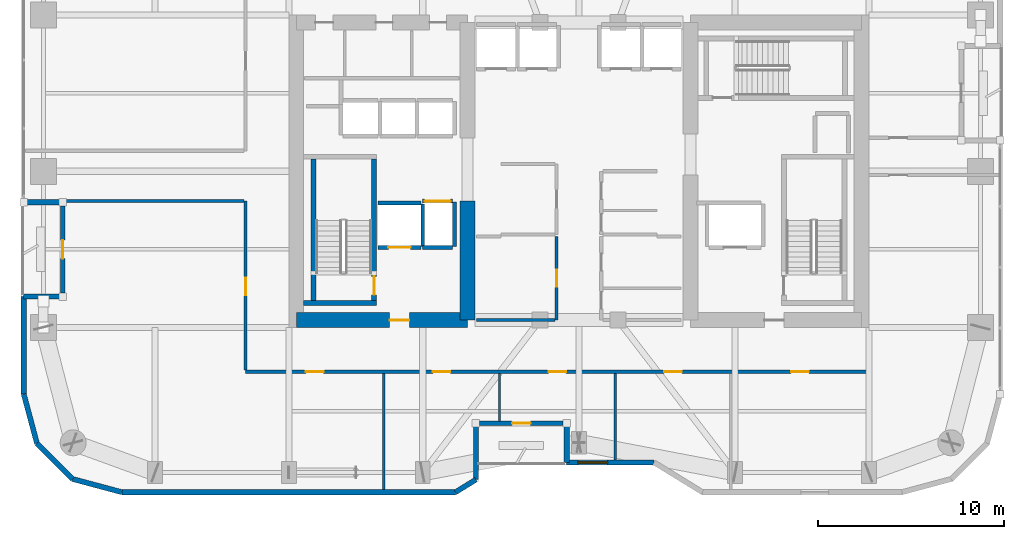
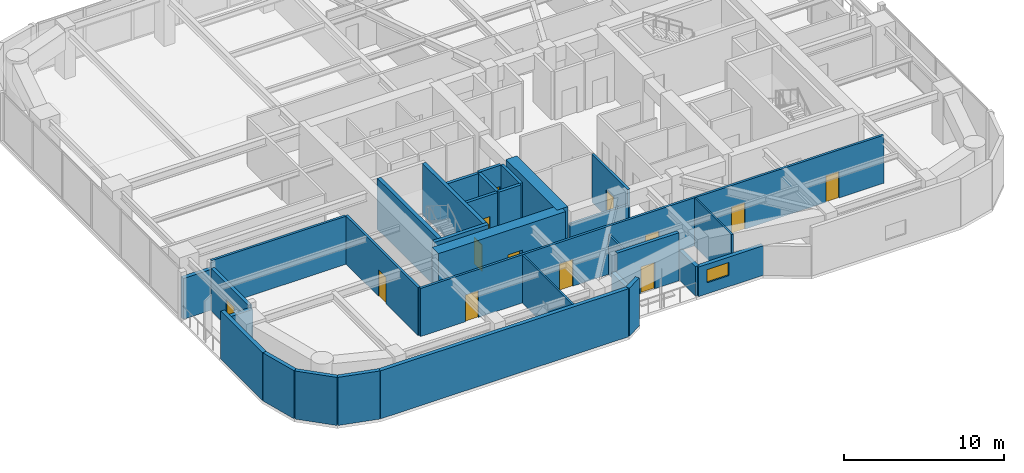
# One storey, part 25 of 31: 32 walls, 13 doors, 1 window, 14 openings.
"""IFC4 building model written with IfcOpenShell, lengths in metres."""

from ifc_helpers import new_model, si_unit, direction, frame, frame_2d, origin, place, context, subcontext, project, spatial, rectangle, extrude, material, layer, layer_set, type_object, element, fill, save


model = new_model("IFC4")

# Units and contexts
model_context = context("Model", 3, precision=1e-05, world=origin(), true_north=direction((0.0, 1.0)))
body_context = subcontext(model_context, "Body", "Model", "MODEL_VIEW")
ifc_project = project(units=[si_unit("LENGTHUNIT", "METRE"), si_unit("AREAUNIT", "SQUARE_METRE"), si_unit("VOLUMEUNIT", "CUBIC_METRE"), si_unit("PLANEANGLEUNIT", "RADIAN"), si_unit("MASSUNIT", "GRAM", prefix="KILO")], contexts=[model_context])

# Site, building, storey
site_placement = place(None, origin())
site = spatial("IfcSite", under=ifc_project, at=site_placement, CompositionType="ELEMENT")
building_placement = place(site_placement, origin())
building = spatial("IfcBuilding", under=site, at=building_placement, Name="Kiyonajd Concourse Tower", CompositionType="ELEMENT")
storey_placement = place(building_placement, frame((0.0, 0.0, 158.39990234375)))
storey = spatial("IfcBuildingStorey", under=building, at=storey_placement, Name="L40", CompositionType="ELEMENT", Elevation=158.39990234375)

# Wall
ifc_material_1 = material(Name="Concrete C70/85", Category="concrete")
ifc_layer_1 = layer(ifc_material_1, 0.800048828125)
ifc_layer_set_1 = layer_set([ifc_layer_1], Name="Concrete C70/85")
wall_type_1 = type_object("IfcWallType", Name="WL-CORE-800", PredefinedType="SHEAR", material=ifc_layer_set_1)
wall_1_placement = place(storey_placement, frame((42.0, 28.0, 0.0), z_axis=(0.0, 0.0, 1.0), x_axis=(0.0, 1.0, 0.0)))
element("IfcWall", 1, at=wall_1_placement, inside=storey, type_object=wall_type_1, Name="L40 West Core Inner South Shear Wall", PredefinedType="SHEAR", context=body_context, shape_type="SweptSolid", body=[
    extrude(rectangle(XDim=6.39990234375, YDim=0.800048828125, at=frame_2d((3.199951171875, 0.0))), origin(), (0.0, 0.0, 1.0), 3.900146484375),
])

# Wall, opening, door
wall_2_placement = place(storey_placement, frame((32.800048828125, 28.0, 0.0), z_axis=(0.0, 0.0, 1.0), x_axis=(1.0, 0.0, 0.0)))
wall_2 = element("IfcWall", 2, at=wall_2_placement, inside=storey, type_object=wall_type_1, Name="L40 West Core South Shear Wall", PredefinedType="SHEAR", context=body_context, shape_type="SweptSolid", body=[
    extrude(rectangle(XDim=9.199951171875, YDim=0.800048828125, at=frame_2d((4.60009765625, 0.0))), origin(), (0.0, 0.0, 1.0), 3.900146484375),
])
opening_1_placement = place(wall_2_placement, frame((5.02490234375, 0.0, 0.0)))
opening_1 = element("IfcOpeningElement", 3, at=opening_1_placement, cuts=wall_2, Name="Opening DF5", PredefinedType="OPENING", context=body_context, shape_type="SweptSolid", body=[
    extrude(rectangle(XDim=1.050048828125, YDim=2.0400390625, at=frame_2d((0.52490234375, 1.02001953125))), frame((0.0, 0.409912109375, 0.0), z_axis=(0.0, -1.0, 0.0), x_axis=(1.0, 0.0, 0.0)), (0.0, 0.0, 1.0), 0.820068359375),
])
ifc_material_2 = material(Name="Brushed Stainless Steel Cab Assembly", Category="steel")
door_type_1 = type_object("IfcDoorType", Name="DR-FD45-1050", OperationType="NOTDEFINED", PredefinedType="DOOR", material=ifc_material_2)
door_1_placement = place(opening_1_placement, origin())
door_1 = element("IfcDoor", 4, at=door_1_placement, inside=storey, type_object=door_type_1, Name="L40 Firefighting Lift Lobby W Smoke Door", OperationType="SINGLE_SWING_LEFT", OverallHeight=2.0400390625, OverallWidth=1.050048828125, PredefinedType="DOOR", context=body_context, shape_type="SweptSolid", body=[
    extrude(rectangle(XDim=1.050048828125, YDim=2.0400390625, at=frame_2d((0.52490234375, 1.02001953125))), frame((0.0, 0.02490234375, 0.0), z_axis=(0.0, -1.0, 0.0), x_axis=(1.0, 0.0, 0.0)), (0.0, 0.0, 1.0), 0.050048828125),
])
fill(opening_1, door_1)

# Walls
ifc_material_3 = material(Name="Precast concrete C50/60", Category="concrete")
ifc_layer_2 = layer(ifc_material_3, 0.280029296875)
ifc_layer_set_2 = layer_set([ifc_layer_2], Name="Precast concrete C50/60")
wall_type_2 = type_object("IfcWallType", Name="WL-EXT-280", PredefinedType="SOLIDWALL", material=ifc_layer_set_2)
wall_3_placement = place(storey_placement, frame((18.848388671875, 21.37255859375, 0.0), z_axis=(0.0, 0.0, 1.0), x_axis=(-0.258672222976, 0.9659651552, 0.0)))
element("IfcWall", 5, at=wall_3_placement, inside=storey, type_object=wall_type_2, Name="L40 Exterior Concrete Frame Wall 00", PredefinedType="SOLIDWALL", context=body_context, shape_type="SweptSolid", body=[
    extrude(rectangle(XDim=2.739013671875, YDim=0.280029296875, at=frame_2d((1.36962890625, 0.0))), origin(), (0.0, 0.0, 1.0), 3.68017578125),
])
wall_4_placement = place(storey_placement, frame((18.139892578125, 24.018310546875, 0.0), z_axis=(0.0, 0.0, 1.0), x_axis=(0.0, 1.0, 0.0)))
element("IfcWall", 6, at=wall_4_placement, inside=storey, type_object=wall_type_2, Name="L40 Exterior Concrete Frame Wall 01", PredefinedType="SOLIDWALL", context=body_context, shape_type="SweptSolid", body=[
    extrude(rectangle(XDim=5.24169921875, YDim=0.280029296875, at=frame_2d((2.620849609375, 0.0))), origin(), (0.0, 0.0, 1.0), 3.68017578125),
])
for number, where, z_axis, x_axis, name in (
    (7, (18.139892578125, 29.260009765625, 0.0), (0.0, 0.0, 1.0), (1.0, 0.0, 0.0), "L40 Exterior Concrete Frame Wall 02"),
    (8, (20.239990234375, 34.340087890625, 0.0), (0.0, 0.0, 1.0), (-1.0, 0.0, 0.0), "L40 Exterior Concrete Frame Wall 04"),
):
    element("IfcWall", number, at=place(storey_placement, frame(where, z_axis=z_axis, x_axis=x_axis)), inside=storey, type_object=wall_type_2, Name=name, PredefinedType="SOLIDWALL", context=body_context, shape_type="SweptSolid", body=[
        extrude(rectangle(XDim=2.10009765625, YDim=0.280029296875, at=frame_2d((1.050048828125, 0.0))), origin(), (0.0, 0.0, 1.0), 3.1162109375),
    ])

# Wall, opening, window
wall_5_placement = place(storey_placement, frame((52.03955078125, 20.340087890625, 0.0), z_axis=(0.0, 0.0, 1.0), x_axis=(-1.0, 0.0, 0.0)))
wall_5 = element("IfcWall", 9, at=wall_5_placement, inside=storey, type_object=wall_type_2, Name="L40 Exterior Concrete Frame Wall 30", PredefinedType="SOLIDWALL", context=body_context, shape_type="SweptSolid", body=[
    extrude(rectangle(XDim=4.699462890625, YDim=0.280029296875, at=frame_2d((2.349609375, 0.0))), origin(), (0.0, 0.0, 1.0), 2.26513671875),
])
opening_2_placement = place(wall_5_placement, frame((2.5, 0.0, 0.85009765625)))
opening_2 = element("IfcOpeningElement", 10, at=opening_2_placement, cuts=wall_5, Name="Opening WN6", PredefinedType="OPENING", context=body_context, shape_type="SweptSolid", body=[
    extrude(rectangle(XDim=1.60009765625, YDim=1.0, at=frame_2d((0.800048828125, 0.5))), frame((0.0, 0.14990234375, 0.0), z_axis=(0.0, -1.0, 0.0), x_axis=(1.0, 0.0, 0.0)), (0.0, 0.0, 1.0), 0.300048828125),
])
ifc_material_4 = material(Name="Double Low-E Insulated Glass", Category="glass")
window_type = type_object("IfcWindowType", Name="WN-VIS-1600x1000", PartitioningType="SINGLE_PANEL", PredefinedType="WINDOW", material=ifc_material_4)
window_placement = place(opening_2_placement, origin())
window = element("IfcWindow", 11, at=window_placement, inside=storey, type_object=window_type, Name="L40 Modular Facade Vision Window 30", OverallHeight=1.0, OverallWidth=1.60009765625, PartitioningType="SINGLE_PANEL", PredefinedType="WINDOW", context=body_context, shape_type="SweptSolid", body=[
    extrude(rectangle(XDim=1.60009765625, YDim=1.0, at=frame_2d((0.800048828125, 0.5))), frame((0.0, 0.030029296875, 0.0), z_axis=(0.0, -1.0, 0.0), x_axis=(1.0, 0.0, 0.0)), (0.0, 0.0, 1.0), 0.06005859375),
])
fill(opening_2, window)

# Walls
wall_6_placement = place(storey_placement, frame((47.340087890625, 20.340087890625, 0.0), z_axis=(0.0, 0.0, 1.0), x_axis=(0.0, 1.0, 0.0)))
element("IfcWall", 12, at=wall_6_placement, inside=storey, type_object=wall_type_2, Name="L40 Exterior Concrete Frame Wall 31", PredefinedType="SOLIDWALL", context=body_context, shape_type="SweptSolid", body=[
    extrude(rectangle(XDim=2.099853515625, YDim=0.280029296875, at=frame_2d((1.0498046875, 0.0))), origin(), (0.0, 0.0, 1.0), 2.26513671875),
])
wall_7_placement = place(storey_placement, frame((42.4599609375, 22.43994140625, 0.0), z_axis=(0.0, 0.0, 1.0), x_axis=(0.0, -1.0, 0.0)))
element("IfcWall", 13, at=wall_7_placement, inside=storey, type_object=wall_type_2, Name="L40 Exterior Concrete Frame Wall 33", PredefinedType="SOLIDWALL", context=body_context, shape_type="SweptSolid", body=[
    extrude(rectangle(XDim=3.023681640625, YDim=0.280029296875, at=frame_2d((1.51171875, 0.0))), origin(), (0.0, 0.0, 1.0), 2.26513671875),
])
wall_8_placement = place(storey_placement, frame((42.4599609375, 19.416259765625, 0.0), z_axis=(0.0, 0.0, 1.0), x_axis=(-0.851801140441, -0.523865266212, 0.0)))
element("IfcWall", 14, at=wall_8_placement, inside=storey, type_object=wall_type_2, Name="L40 Exterior Concrete Frame Wall 34", PredefinedType="SOLIDWALL", context=body_context, shape_type="SweptSolid", body=[
    extrude(rectangle(XDim=1.291015625, YDim=0.280029296875, at=frame_2d((0.6455078125, 0.0))), origin(), (0.0, 0.0, 1.0), 3.68017578125),
])
wall_9_placement = place(storey_placement, frame((41.3603515625, 18.739990234375, 0.0), z_axis=(0.0, 0.0, 1.0), x_axis=(-1.0, 0.0, 0.0)))
element("IfcWall", 15, at=wall_9_placement, inside=storey, type_object=wall_type_2, Name="L40 Exterior Concrete Frame Wall 35", PredefinedType="SOLIDWALL", context=body_context, shape_type="SweptSolid", body=[
    extrude(rectangle(XDim=17.94189453125, YDim=0.280029296875, at=frame_2d((8.970947265625, 0.0))), origin(), (0.0, 0.0, 1.0), 3.68017578125),
])
wall_10_placement = place(storey_placement, frame((23.41845703125, 18.739990234375, 0.0), z_axis=(0.0, 0.0, 1.0), x_axis=(-0.965971118627, 0.258649952598, 0.0)))
element("IfcWall", 16, at=wall_10_placement, inside=storey, type_object=wall_type_2, Name="L40 Exterior Concrete Frame Wall 36", PredefinedType="SOLIDWALL", context=body_context, shape_type="SweptSolid", body=[
    extrude(rectangle(XDim=2.7392578125, YDim=0.280029296875, at=frame_2d((1.36962890625, 0.0))), origin(), (0.0, 0.0, 1.0), 3.68017578125),
])
wall_11_placement = place(storey_placement, frame((20.7724609375, 19.448486328125, 0.0), z_axis=(0.0, 0.0, 1.0), x_axis=(-0.707106781187, 0.707106781187, 0.0)))
element("IfcWall", 17, at=wall_11_placement, inside=storey, type_object=wall_type_2, Name="L40 Exterior Concrete Frame Wall 37", PredefinedType="SOLIDWALL", context=body_context, shape_type="SweptSolid", body=[
    extrude(rectangle(XDim=2.720947265625, YDim=0.280029296875, at=frame_2d((1.3603515625, 0.0))), origin(), (0.0, 0.0, 1.0), 3.68017578125),
])

# Wall, opening, door
ifc_layer_3 = layer(ifc_material_3, 0.239990234375)
ifc_layer_set_3 = layer_set([ifc_layer_3], Name="Precast concrete C50/60")
wall_type_3 = type_object("IfcWallType", Name="WL-LOG-240", PredefinedType="SOLIDWALL", material=ifc_layer_set_3)
wall_12_placement = place(storey_placement, frame((20.239990234375, 29.455078125, 0.0), z_axis=(0.0, 0.0, 1.0), x_axis=(0.0, 1.0, 0.0)))
wall_12 = element("IfcWall", 18, at=wall_12_placement, inside=storey, type_object=wall_type_3, Name="L40 Recessed Loggia Thermal Wall LOG-W", PredefinedType="SOLIDWALL", context=body_context, shape_type="SweptSolid", body=[
    extrude(rectangle(XDim=4.68994140625, YDim=0.239990234375, at=frame_2d((2.344970703125, 0.0))), origin(), (0.0, 0.0, 1.0), 3.248046875),
])
opening_3_placement = place(wall_12_placement, frame((1.844970703125, 0.0, 0.0)))
opening_3 = element("IfcOpeningElement", 19, at=opening_3_placement, cuts=wall_12, Name="Opening DL1", PredefinedType="OPENING", context=body_context, shape_type="SweptSolid", body=[
    extrude(rectangle(XDim=1.0, YDim=2.02001953125, at=frame_2d((0.5, 1.010009765625))), frame((0.0, 0.1298828125, 0.0), z_axis=(0.0, -1.0, 0.0), x_axis=(1.0, 0.0, 0.0)), (0.0, 0.0, 1.0), 0.260009765625),
])
ifc_material_5 = material(Name="Thermally Broken Anodised Aluminium", Category="aluminium")
door_type_2 = type_object("IfcDoorType", Name="DR-LOG-1000", OperationType="NOTDEFINED", PredefinedType="DOOR", material=ifc_material_5)
door_2_placement = place(opening_3_placement, origin())
door_2 = element("IfcDoor", 20, at=door_2_placement, inside=storey, type_object=door_type_2, Name="L40 Engawa Loggia Access Door LOG-W", OperationType="SINGLE_SWING_LEFT", OverallHeight=2.02001953125, OverallWidth=1.0, PredefinedType="DOOR", context=body_context, shape_type="SweptSolid", body=[
    extrude(rectangle(XDim=1.0, YDim=2.02001953125, at=frame_2d((0.5, 1.010009765625))), frame((0.0, 0.02490234375, 0.0), z_axis=(0.0, -1.0, 0.0), x_axis=(1.0, 0.0, 0.0)), (0.0, 0.0, 1.0), 0.050048828125),
])
fill(opening_3, door_2)

wall_13_placement = place(storey_placement, frame((47.14501953125, 22.43994140625, 0.0), z_axis=(0.0, 0.0, 1.0), x_axis=(-1.0, 0.0, 0.0)))
wall_13 = element("IfcWall", 21, at=wall_13_placement, inside=storey, type_object=wall_type_3, Name="L40 Recessed Loggia Thermal Wall LOG-S", PredefinedType="SOLIDWALL", context=body_context, shape_type="SweptSolid", body=[
    extrude(rectangle(XDim=4.489990234375, YDim=0.239990234375, at=frame_2d((2.2451171875, 0.0))), origin(), (0.0, 0.0, 1.0), 3.68017578125),
])
opening_4_placement = place(wall_13_placement, frame((1.7451171875, 0.0, 0.0)))
opening_4 = element("IfcOpeningElement", 22, at=opening_4_placement, cuts=wall_13, Name="Opening DL1", PredefinedType="OPENING", context=body_context, shape_type="SweptSolid", body=[
    extrude(rectangle(XDim=1.0, YDim=2.02001953125, at=frame_2d((0.5, 1.010009765625))), frame((0.0, 0.1298828125, 0.0), z_axis=(0.0, -1.0, 0.0), x_axis=(1.0, 0.0, 0.0)), (0.0, 0.0, 1.0), 0.260009765625),
])
door_3_placement = place(opening_4_placement, origin())
door_3 = element("IfcDoor", 23, at=door_3_placement, inside=storey, type_object=door_type_2, Name="L40 Engawa Loggia Access Door LOG-S", OperationType="SINGLE_SWING_RIGHT", OverallHeight=2.02001953125, OverallWidth=1.0, PredefinedType="DOOR", context=body_context, shape_type="SweptSolid", body=[
    extrude(rectangle(XDim=1.0, YDim=2.02001953125, at=frame_2d((0.5, 1.010009765625))), frame((0.0, 0.02490234375, 0.0), z_axis=(0.0, -1.0, 0.0), x_axis=(1.0, 0.0, 0.0)), (0.0, 0.0, 1.0), 0.050048828125),
])
fill(opening_4, door_3)

# Walls
ifc_material_6 = material(Name="Gypsum Board on Cold-Formed Steel Stud", Category="steel")
ifc_layer_4 = layer(ifc_material_6, 0.125)
ifc_layer_set_4 = layer_set([ifc_layer_4], Name="Gypsum Board on Cold-Formed Steel Stud")
wall_type_4 = type_object("IfcWallType", Name="WL-PART-125", PredefinedType="PARTITIONING", material=ifc_layer_set_4)
wall_14_placement = place(storey_placement, frame((37.5, 18.875, 0.0), z_axis=(0.0, 0.0, 1.0), x_axis=(0.0, 1.0, 0.0)))
element("IfcWall", 24, at=wall_14_placement, inside=storey, type_object=wall_type_4, Name="L40 Interior Partition Wall", PredefinedType="PARTITIONING", context=body_context, shape_type="SweptSolid", body=[
    extrude(rectangle(XDim=6.258056640625, YDim=0.125, at=frame_2d((3.12890625, 0.0))), origin(), (0.0, 0.0, 1.0), 3.68017578125),
])
wall_15_placement = place(storey_placement, frame((43.72998046875, 22.554931640625, 0.0), z_axis=(0.0, 0.0, 1.0), x_axis=(0.0, 1.0, 0.0)))
element("IfcWall", 25, at=wall_15_placement, inside=storey, type_object=wall_type_4, Name="L40 Interior Partition Wall", PredefinedType="PARTITIONING", context=body_context, shape_type="SweptSolid", body=[
    extrude(rectangle(XDim=2.578125, YDim=0.125, at=frame_2d((1.2890625, 0.0))), origin(), (0.0, 0.0, 1.0), 3.043212890625),
])
wall_16_placement = place(storey_placement, frame((49.949951171875, 20.47509765625, 0.0), z_axis=(0.0, 0.0, 1.0), x_axis=(0.0, 1.0, 0.0)))
element("IfcWall", 26, at=wall_16_placement, inside=storey, type_object=wall_type_4, Name="L40 Interior Partition Wall", PredefinedType="PARTITIONING", context=body_context, shape_type="SweptSolid", body=[
    extrude(rectangle(XDim=4.657958984375, YDim=0.125, at=frame_2d((2.3291015625, 0.0))), origin(), (0.0, 0.0, 1.0), 3.68017578125),
])

# Wall, opening, door
ifc_layer_5 = layer(ifc_material_6, 0.2099609375)
ifc_layer_set_5 = layer_set([ifc_layer_5], Name="Gypsum Board on Cold-Formed Steel Stud")
wall_type_5 = type_object("IfcWallType", Name="WL-SHAFT-210", PredefinedType="PARTITIONING", material=ifc_layer_set_5)
wall_17_placement = place(storey_placement, frame((37.199951171875, 31.89990234375, 0.0), z_axis=(0.0, 0.0, 1.0), x_axis=(1.0, 0.0, 0.0)))
wall_17 = element("IfcWall", 27, at=wall_17_placement, inside=storey, type_object=wall_type_5, Name="L40 Shaft Enclosure Wall", PredefinedType="PARTITIONING", context=body_context, shape_type="SweptSolid", body=[
    extrude(rectangle(XDim=2.300048828125, YDim=0.2099609375, at=frame_2d((1.14990234375, 0.0))), origin(), (0.0, 0.0, 1.0), 3.68017578125),
])
opening_5_placement = place(wall_17_placement, frame((0.550048828125, 0.0, 0.0)))
opening_5 = element("IfcOpeningElement", 28, at=opening_5_placement, cuts=wall_17, Name="Opening LD2", PredefinedType="OPENING", context=body_context, shape_type="SweptSolid", body=[
    extrude(rectangle(XDim=1.199951171875, YDim=2.0400390625, at=frame_2d((0.60009765625, 1.02001953125))), frame((0.0, 0.114990234375, 0.0), z_axis=(0.0, -1.0, 0.0), x_axis=(1.0, 0.0, 0.0)), (0.0, 0.0, 1.0), 0.22998046875),
])
door_type_3 = type_object("IfcDoorType", Name="DR-LD-1200", OperationType="DOUBLE_DOOR_SLIDING", PredefinedType="DOOR", material=ifc_material_2)
door_4_placement = place(opening_5_placement, origin())
door_4 = element("IfcDoor", 29, at=door_4_placement, inside=storey, type_object=door_type_3, Name="L40 Lift FFL1 Sliding Landing Door", OperationType="DOUBLE_DOOR_SLIDING", OverallHeight=2.0400390625, OverallWidth=1.199951171875, PredefinedType="DOOR", context=body_context, shape_type="SweptSolid", body=[
    extrude(rectangle(XDim=1.199951171875, YDim=2.0400390625, at=frame_2d((0.60009765625, 1.02001953125))), frame((0.0, 0.02490234375, 0.0), z_axis=(0.0, -1.0, 0.0), x_axis=(1.0, 0.0, 0.0)), (0.0, 0.0, 1.0), 0.050048828125),
])
fill(opening_5, door_4)

# Walls
wall_18_placement = place(storey_placement, frame((37.199951171875, 34.300048828125, 0.0), z_axis=(0.0, 0.0, 1.0), x_axis=(1.0, 0.0, 0.0)))
element("IfcWall", 30, at=wall_18_placement, inside=storey, type_object=wall_type_5, Name="L40 Shaft Enclosure Wall", PredefinedType="PARTITIONING", context=body_context, shape_type="SweptSolid", body=[
    extrude(rectangle(XDim=2.300048828125, YDim=0.2099609375, at=frame_2d((1.14990234375, 0.0))), origin(), (0.0, 0.0, 1.0), 3.68017578125),
])
wall_19_placement = place(storey_placement, frame((39.60009765625, 31.9599609375, 0.0), z_axis=(0.0, 0.0, 1.0), x_axis=(0.0, 1.0, 0.0)))
element("IfcWall", 31, at=wall_19_placement, inside=storey, type_object=wall_type_5, Name="L40 Shaft Enclosure Wall", PredefinedType="PARTITIONING", context=body_context, shape_type="SweptSolid", body=[
    extrude(rectangle(XDim=2.280029296875, YDim=0.2099609375, at=frame_2d((1.14013671875, 0.0))), origin(), (0.0, 0.0, 1.0), 3.68017578125),
])

# Wall, opening, door
wall_20_placement = place(storey_placement, frame((39.60009765625, 34.39990234375, 0.0), z_axis=(0.0, 0.0, 1.0), x_axis=(1.0, 0.0, 0.0)))
wall_20 = element("IfcWall", 32, at=wall_20_placement, inside=storey, type_object=wall_type_5, Name="L40 Shaft Enclosure Wall", PredefinedType="PARTITIONING", context=body_context, shape_type="SweptSolid", body=[
    extrude(rectangle(XDim=1.599853515625, YDim=0.2099609375, at=frame_2d((0.7998046875, 0.0))), origin(), (0.0, 0.0, 1.0), 3.68017578125),
])
opening_6_placement = place(wall_20_placement, frame((0.10009765625, 0.0, 0.0)))
opening_6 = element("IfcOpeningElement", 33, at=opening_6_placement, cuts=wall_20, Name="Opening LD3", PredefinedType="OPENING", context=body_context, shape_type="SweptSolid", body=[
    extrude(rectangle(XDim=1.39990234375, YDim=2.06005859375, at=frame_2d((0.699951171875, 1.030029296875))), frame((0.0, 0.114990234375, 0.0), z_axis=(0.0, -1.0, 0.0), x_axis=(1.0, 0.0, 0.0)), (0.0, 0.0, 1.0), 0.22998046875),
])
door_type_4 = type_object("IfcDoorType", Name="DR-LD-1400", OperationType="DOUBLE_DOOR_SLIDING", PredefinedType="DOOR", material=ifc_material_2)
door_5_placement = place(opening_6_placement, origin())
door_5 = element("IfcDoor", 34, at=door_5_placement, inside=storey, type_object=door_type_4, Name="L40 Lift SVL1 Sliding Landing Door", OperationType="DOUBLE_DOOR_SLIDING", OverallHeight=2.06005859375, OverallWidth=1.39990234375, PredefinedType="DOOR", context=body_context, shape_type="SweptSolid", body=[
    extrude(rectangle(XDim=1.39990234375, YDim=2.06005859375, at=frame_2d((0.699951171875, 1.030029296875))), frame((0.0, 0.02490234375, 0.0), z_axis=(0.0, -1.0, 0.0), x_axis=(1.0, 0.0, 0.0)), (0.0, 0.0, 1.0), 0.050048828125),
])
fill(opening_6, door_5)

# Walls
wall_21_placement = place(storey_placement, frame((39.60009765625, 31.89990234375, 0.0), z_axis=(0.0, 0.0, 1.0), x_axis=(1.0, 0.0, 0.0)))
element("IfcWall", 35, at=wall_21_placement, inside=storey, type_object=wall_type_5, Name="L40 Shaft Enclosure Wall", PredefinedType="PARTITIONING", context=body_context, shape_type="SweptSolid", body=[
    extrude(rectangle(XDim=1.599853515625, YDim=0.2099609375, at=frame_2d((0.7998046875, 0.0))), origin(), (0.0, 0.0, 1.0), 3.68017578125),
])
wall_22_placement = place(storey_placement, frame((41.300048828125, 31.9599609375, 0.0), z_axis=(0.0, 0.0, 1.0), x_axis=(0.0, 1.0, 0.0)))
element("IfcWall", 36, at=wall_22_placement, inside=storey, type_object=wall_type_5, Name="L40 Shaft Enclosure Wall", PredefinedType="PARTITIONING", context=body_context, shape_type="SweptSolid", body=[
    extrude(rectangle(XDim=2.380126953125, YDim=0.2099609375, at=frame_2d((1.18994140625, 0.0))), origin(), (0.0, 0.0, 1.0), 3.68017578125),
])

# Wall, opening, door
ifc_layer_6 = layer(ifc_material_6, 0.169921875)
ifc_layer_set_6 = layer_set([ifc_layer_6], Name="Gypsum Board on Cold-Formed Steel Stud")
wall_type_6 = type_object("IfcWallType", Name="WL-SMK-170", PredefinedType="PARTITIONING", material=ifc_layer_set_6)
wall_23_placement = place(storey_placement, frame((46.800048828125, 28.0, 0.0), z_axis=(0.0, 0.0, 1.0), x_axis=(0.0, 1.0, 0.0)))
wall_23 = element("IfcWall", 37, at=wall_23_placement, inside=storey, type_object=wall_type_6, Name="L40 Interior Partition Wall", PredefinedType="PARTITIONING", context=body_context, shape_type="SweptSolid", body=[
    extrude(rectangle(XDim=4.5, YDim=0.169921875, at=frame_2d((2.25, 0.0))), origin(), (0.0, 0.0, 1.0), 3.68017578125),
])
opening_7_placement = place(wall_23_placement, frame((1.800048828125, 0.0, 0.0)))
opening_7 = element("IfcOpeningElement", 38, at=opening_7_placement, cuts=wall_23, Name="Opening DI2", PredefinedType="OPENING", context=body_context, shape_type="SweptSolid", body=[
    extrude(rectangle(XDim=0.89990234375, YDim=2.02001953125, at=frame_2d((0.449951171875, 1.010009765625))), frame((0.0, 0.094970703125, 0.0), z_axis=(0.0, -1.0, 0.0), x_axis=(1.0, 0.0, 0.0)), (0.0, 0.0, 1.0), 0.18994140625),
])
ifc_material_7 = material(Name="Natural Oak Acoustic Timber Veneer", Category="wood")
door_type_5 = type_object("IfcDoorType", Name="DR-INT-900", OperationType="NOTDEFINED", PredefinedType="DOOR", material=ifc_material_7)
door_6_placement = place(opening_7_placement, origin())
door_6 = element("IfcDoor", 39, at=door_6_placement, inside=storey, type_object=door_type_5, Name="L40 Interior Door", OperationType="SINGLE_SWING_RIGHT", OverallHeight=2.02001953125, OverallWidth=0.89990234375, PredefinedType="DOOR", context=body_context, shape_type="SweptSolid", body=[
    extrude(rectangle(XDim=0.89990234375, YDim=2.02001953125, at=frame_2d((0.449951171875, 1.010009765625))), frame((0.0, 0.02490234375, 0.0), z_axis=(0.0, -1.0, 0.0), x_axis=(1.0, 0.0, 0.0)), (0.0, 0.0, 1.0), 0.050048828125),
])
fill(opening_7, door_6)

# Wall
wall_24_placement = place(storey_placement, frame((42.5, 28.0, 0.0), z_axis=(0.0, 0.0, 1.0), x_axis=(1.0, 0.0, 0.0)))
element("IfcWall", 40, at=wall_24_placement, inside=storey, type_object=wall_type_6, Name="L40 Interior Partition Wall", PredefinedType="PARTITIONING", context=body_context, shape_type="SweptSolid", body=[
    extrude(rectangle(XDim=4.212890625, YDim=0.169921875, at=frame_2d((2.1064453125, 0.0))), origin(), (0.0, 0.0, 1.0), 2.565185546875),
])

# Wall, openings, doors
wall_25_placement = place(storey_placement, frame((30.074951171875, 25.219970703125, 0.0), z_axis=(0.0, 0.0, 1.0), x_axis=(1.0, 0.0, 0.0)))
wall_25 = element("IfcWall", 41, at=wall_25_placement, inside=storey, type_object=wall_type_6, Name="L40 Interior Partition Wall", PredefinedType="PARTITIONING", context=body_context, shape_type="SweptSolid", body=[
    extrude(rectangle(XDim=33.525146484375, YDim=0.169921875, at=frame_2d((16.7626953125, 0.0))), origin(), (0.0, 0.0, 1.0), 3.68017578125),
])
opening_8_placement = place(wall_25_placement, frame((3.238037109375, 0.0, 0.0)))
opening_8 = element("IfcOpeningElement", 42, at=opening_8_placement, cuts=wall_25, Name="Opening DI1", PredefinedType="OPENING", context=body_context, shape_type="SweptSolid", body=[
    extrude(rectangle(XDim=0.949951171875, YDim=2.0400390625, at=frame_2d((0.47509765625, 1.02001953125))), frame((0.0, 0.094970703125, 0.0), z_axis=(0.0, -1.0, 0.0), x_axis=(1.0, 0.0, 0.0)), (0.0, 0.0, 1.0), 0.18994140625),
])
opening_9_placement = place(wall_25_placement, frame((10.06494140625, 0.0, 0.0)))
opening_9 = element("IfcOpeningElement", 43, at=opening_9_placement, cuts=wall_25, Name="Opening DI1", PredefinedType="OPENING", context=body_context, shape_type="SweptSolid", body=[
    extrude(rectangle(XDim=0.949951171875, YDim=2.0400390625, at=frame_2d((0.47509765625, 1.02001953125))), frame((0.0, 0.094970703125, 0.0), z_axis=(0.0, -1.0, 0.0), x_axis=(1.0, 0.0, 0.0)), (0.0, 0.0, 1.0), 0.18994140625),
])
opening_10_placement = place(wall_25_placement, frame((16.2900390625, 0.0, 0.0)))
opening_10 = element("IfcOpeningElement", 44, at=opening_10_placement, cuts=wall_25, Name="Opening DI1", PredefinedType="OPENING", context=body_context, shape_type="SweptSolid", body=[
    extrude(rectangle(XDim=0.949951171875, YDim=2.0400390625, at=frame_2d((0.47509765625, 1.02001953125))), frame((0.0, 0.094970703125, 0.0), z_axis=(0.0, -1.0, 0.0), x_axis=(1.0, 0.0, 0.0)), (0.0, 0.0, 1.0), 0.18994140625),
])
opening_11_placement = place(wall_25_placement, frame((22.510009765625, 0.0, 0.0)))
opening_11 = element("IfcOpeningElement", 45, at=opening_11_placement, cuts=wall_25, Name="Opening DI1", PredefinedType="OPENING", context=body_context, shape_type="SweptSolid", body=[
    extrude(rectangle(XDim=0.949951171875, YDim=2.0400390625, at=frame_2d((0.47509765625, 1.02001953125))), frame((0.0, 0.094970703125, 0.0), z_axis=(0.0, -1.0, 0.0), x_axis=(1.0, 0.0, 0.0)), (0.0, 0.0, 1.0), 0.18994140625),
])
opening_12_placement = place(wall_25_placement, frame((29.3349609375, 0.0, 0.0)))
opening_12 = element("IfcOpeningElement", 46, at=opening_12_placement, cuts=wall_25, Name="Opening DI1", PredefinedType="OPENING", context=body_context, shape_type="SweptSolid", body=[
    extrude(rectangle(XDim=0.949951171875, YDim=2.0400390625, at=frame_2d((0.47509765625, 1.02001953125))), frame((0.0, 0.094970703125, 0.0), z_axis=(0.0, -1.0, 0.0), x_axis=(1.0, 0.0, 0.0)), (0.0, 0.0, 1.0), 0.18994140625),
])
door_type_6 = type_object("IfcDoorType", Name="DR-INT-950", OperationType="NOTDEFINED", PredefinedType="DOOR", material=ifc_material_7)
door_7_placement = place(opening_8_placement, origin())
door_7 = element("IfcDoor", 47, at=door_7_placement, inside=storey, type_object=door_type_6, Name="L40 Interior Door", OperationType="SINGLE_SWING_LEFT", OverallHeight=2.0400390625, OverallWidth=0.949951171875, PredefinedType="DOOR", context=body_context, shape_type="SweptSolid", body=[
    extrude(rectangle(XDim=0.949951171875, YDim=2.0400390625, at=frame_2d((0.47509765625, 1.02001953125))), frame((0.0, 0.02490234375, 0.0), z_axis=(0.0, -1.0, 0.0), x_axis=(1.0, 0.0, 0.0)), (0.0, 0.0, 1.0), 0.050048828125),
])
fill(opening_8, door_7)
door_8_placement = place(opening_9_placement, origin())
door_8 = element("IfcDoor", 48, at=door_8_placement, inside=storey, type_object=door_type_6, Name="L40 Interior Door", OperationType="SINGLE_SWING_RIGHT", OverallHeight=2.0400390625, OverallWidth=0.949951171875, PredefinedType="DOOR", context=body_context, shape_type="SweptSolid", body=[
    extrude(rectangle(XDim=0.949951171875, YDim=2.0400390625, at=frame_2d((0.47509765625, 1.02001953125))), frame((0.0, 0.02490234375, 0.0), z_axis=(0.0, -1.0, 0.0), x_axis=(1.0, 0.0, 0.0)), (0.0, 0.0, 1.0), 0.050048828125),
])
fill(opening_9, door_8)
door_9_placement = place(opening_10_placement, origin())
door_9 = element("IfcDoor", 49, at=door_9_placement, inside=storey, type_object=door_type_6, Name="L40 Interior Door", OperationType="SINGLE_SWING_LEFT", OverallHeight=2.0400390625, OverallWidth=0.949951171875, PredefinedType="DOOR", context=body_context, shape_type="SweptSolid", body=[
    extrude(rectangle(XDim=0.949951171875, YDim=2.0400390625, at=frame_2d((0.47509765625, 1.02001953125))), frame((0.0, 0.02490234375, 0.0), z_axis=(0.0, -1.0, 0.0), x_axis=(1.0, 0.0, 0.0)), (0.0, 0.0, 1.0), 0.050048828125),
])
fill(opening_10, door_9)
door_10_placement = place(opening_11_placement, origin())
door_10 = element("IfcDoor", 50, at=door_10_placement, inside=storey, type_object=door_type_6, Name="L40 Interior Door", OperationType="SINGLE_SWING_RIGHT", OverallHeight=2.0400390625, OverallWidth=0.949951171875, PredefinedType="DOOR", context=body_context, shape_type="SweptSolid", body=[
    extrude(rectangle(XDim=0.949951171875, YDim=2.0400390625, at=frame_2d((0.47509765625, 1.02001953125))), frame((0.0, 0.02490234375, 0.0), z_axis=(0.0, -1.0, 0.0), x_axis=(1.0, 0.0, 0.0)), (0.0, 0.0, 1.0), 0.050048828125),
])
fill(opening_11, door_10)
door_11_placement = place(opening_12_placement, origin())
door_11 = element("IfcDoor", 51, at=door_11_placement, inside=storey, type_object=door_type_6, Name="L40 Interior Door", OperationType="SINGLE_SWING_LEFT", OverallHeight=2.0400390625, OverallWidth=0.949951171875, PredefinedType="DOOR", context=body_context, shape_type="SweptSolid", body=[
    extrude(rectangle(XDim=0.949951171875, YDim=2.0400390625, at=frame_2d((0.47509765625, 1.02001953125))), frame((0.0, 0.02490234375, 0.0), z_axis=(0.0, -1.0, 0.0), x_axis=(1.0, 0.0, 0.0)), (0.0, 0.0, 1.0), 0.050048828125),
])
fill(opening_12, door_11)

# Wall, opening, door
wall_26_placement = place(storey_placement, frame((30.074951171875, 25.306884765625, 0.0), z_axis=(0.0, 0.0, 1.0), x_axis=(0.0, 1.0, 0.0)))
wall_26 = element("IfcWall", 52, at=wall_26_placement, inside=storey, type_object=wall_type_6, Name="L40 Interior Partition Wall", PredefinedType="PARTITIONING", context=body_context, shape_type="SweptSolid", body=[
    extrude(rectangle(XDim=9.093017578125, YDim=0.169921875, at=frame_2d((4.54638671875, 0.0))), origin(), (0.0, 0.0, 1.0), 3.68017578125),
])
opening_13_placement = place(wall_26_placement, frame((4.028076171875, 0.0, 0.0)))
opening_13 = element("IfcOpeningElement", 53, at=opening_13_placement, cuts=wall_26, Name="Opening DI1", PredefinedType="OPENING", context=body_context, shape_type="SweptSolid", body=[
    extrude(rectangle(XDim=0.949951171875, YDim=2.0400390625, at=frame_2d((0.47509765625, 1.02001953125))), frame((0.0, 0.094970703125, 0.0), z_axis=(0.0, -1.0, 0.0), x_axis=(1.0, 0.0, 0.0)), (0.0, 0.0, 1.0), 0.18994140625),
])
door_12_placement = place(opening_13_placement, origin())
door_12 = element("IfcDoor", 54, at=door_12_placement, inside=storey, type_object=door_type_6, Name="L40 Interior Door", OperationType="SINGLE_SWING_LEFT", OverallHeight=2.0400390625, OverallWidth=0.949951171875, PredefinedType="DOOR", context=body_context, shape_type="SweptSolid", body=[
    extrude(rectangle(XDim=0.949951171875, YDim=2.0400390625, at=frame_2d((0.47509765625, 1.02001953125))), frame((0.0, 0.02490234375, 0.0), z_axis=(0.0, -1.0, 0.0), x_axis=(1.0, 0.0, 0.0)), (0.0, 0.0, 1.0), 0.050048828125),
])
fill(opening_13, door_12)

# Walls
wall_27_placement = place(storey_placement, frame((20.239990234375, 34.39990234375, 0.0), z_axis=(0.0, 0.0, 1.0), x_axis=(1.0, 0.0, 0.0)))
element("IfcWall", 55, at=wall_27_placement, inside=storey, type_object=wall_type_6, Name="L40 Interior Partition Wall", PredefinedType="PARTITIONING", context=body_context, shape_type="SweptSolid", body=[
    extrude(rectangle(XDim=9.748046875, YDim=0.169921875, at=frame_2d((4.8740234375, 0.0))), origin(), (0.0, 0.0, 1.0), 3.68017578125),
])
ifc_material_8 = material(Name="Concrete C50/60", Category="concrete")
ifc_layer_7 = layer(ifc_material_8, 0.260009765625)
ifc_layer_set_7 = layer_set([ifc_layer_7], Name="Concrete C50/60")
wall_type_7 = type_object("IfcWallType", Name="WL-STAIR-260", PredefinedType="SHEAR", material=ifc_layer_set_7)
wall_28_placement = place(storey_placement, frame((33.199951171875, 28.919921875, 0.0), z_axis=(0.0, 0.0, 1.0), x_axis=(1.0, 0.0, 0.0)))
element("IfcWall", 56, at=wall_28_placement, inside=storey, type_object=wall_type_7, Name="L40 Stair ST1 Structural South Wall", PredefinedType="SHEAR", context=body_context, shape_type="SweptSolid", body=[
    extrude(rectangle(XDim=3.91015625, YDim=0.260009765625, at=frame_2d((1.955078125, 0.0))), origin(), (0.0, 0.0, 1.0), 3.900146484375),
])
wall_29_placement = place(storey_placement, frame((33.719970703125, 29.050048828125, 0.0), z_axis=(0.0, 0.0, 1.0), x_axis=(0.0, 1.0, 0.0)))
element("IfcWall", 57, at=wall_29_placement, inside=storey, type_object=wall_type_7, Name="L40 Stair ST1 Structural West Wall", PredefinedType="SHEAR", context=body_context, shape_type="SweptSolid", body=[
    extrude(rectangle(XDim=7.599853515625, YDim=0.260009765625, at=frame_2d((3.7998046875, 0.0))), origin(), (0.0, 0.0, 1.0), 3.900146484375),
])

# Wall, opening, door
wall_30_placement = place(storey_placement, frame((36.97998046875, 29.050048828125, 0.0), z_axis=(0.0, 0.0, 1.0), x_axis=(0.0, 1.0, 0.0)))
wall_30 = element("IfcWall", 58, at=wall_30_placement, inside=storey, type_object=wall_type_7, Name="L40 Stair ST1 Structural East Wall", PredefinedType="SHEAR", context=body_context, shape_type="SweptSolid", body=[
    extrude(rectangle(XDim=7.599853515625, YDim=0.260009765625, at=frame_2d((3.7998046875, 0.0))), origin(), (0.0, 0.0, 1.0), 3.900146484375),
])
opening_14_placement = place(wall_30_placement, frame((0.300048828125, 0.0, 0.0)))
opening_14 = element("IfcOpeningElement", 59, at=opening_14_placement, cuts=wall_30, Name="Opening DF1", PredefinedType="OPENING", context=body_context, shape_type="SweptSolid", body=[
    extrude(rectangle(XDim=1.0, YDim=2.0400390625, at=frame_2d((0.5, 1.02001953125))), frame((0.0, 0.139892578125, 0.0), z_axis=(0.0, -1.0, 0.0), x_axis=(1.0, 0.0, 0.0)), (0.0, 0.0, 1.0), 0.280029296875),
])
door_type_7 = type_object("IfcDoorType", Name="DR-FD90-1000", OperationType="NOTDEFINED", PredefinedType="DOOR", material=ifc_material_2)
door_13_placement = place(opening_14_placement, origin())
door_13 = element("IfcDoor", 60, at=door_13_placement, inside=storey, type_object=door_type_7, Name="L40 Stair ST1 FSAE Door", OperationType="SINGLE_SWING_LEFT", OverallHeight=2.0400390625, OverallWidth=1.0, PredefinedType="DOOR", context=body_context, shape_type="SweptSolid", body=[
    extrude(rectangle(XDim=1.0, YDim=2.0400390625, at=frame_2d((0.5, 1.02001953125))), frame((0.0, 0.02490234375, 0.0), z_axis=(0.0, -1.0, 0.0), x_axis=(1.0, 0.0, 0.0)), (0.0, 0.0, 1.0), 0.050048828125),
])
fill(opening_14, door_13)

save(model, "model.ifc")
